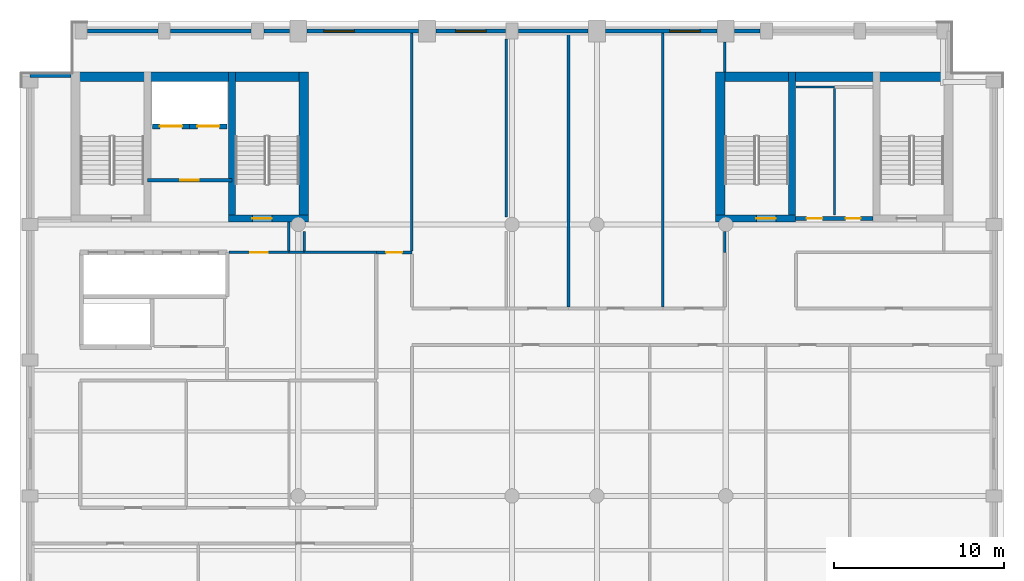
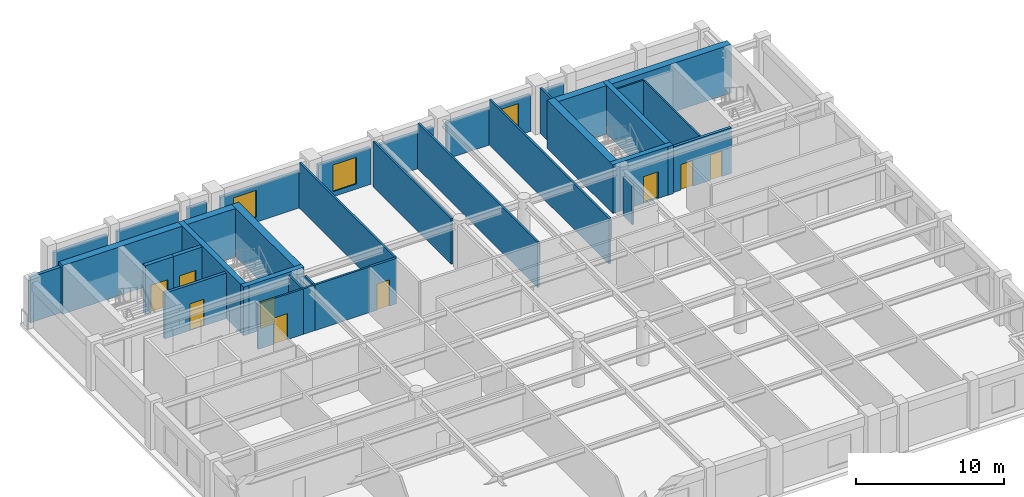
# One storey, part 5 of 9: 35 walls, 9 doors, 3 windows, 12 openings.
"""IFC4 building model written with IfcOpenShell, lengths in metres."""

from ifc_helpers import new_model, si_unit, direction, frame, frame_2d, origin, place, context, subcontext, project, spatial, rectangle, extrude, material, layer, layer_set, type_object, element, fill, save


model = new_model("IFC4")

# Units and contexts
model_context = context("Model", 3, precision=1e-05, world=origin(), true_north=direction((0.0, 1.0)))
body_context = subcontext(model_context, "Body", "Model", "MODEL_VIEW")
ifc_project = project(units=[si_unit("LENGTHUNIT", "METRE"), si_unit("AREAUNIT", "SQUARE_METRE"), si_unit("VOLUMEUNIT", "CUBIC_METRE"), si_unit("PLANEANGLEUNIT", "RADIAN"), si_unit("MASSUNIT", "GRAM", prefix="KILO")], contexts=[model_context])

# Site, building, storey
site_placement = place(None, origin())
site = spatial("IfcSite", under=ifc_project, at=site_placement, CompositionType="ELEMENT")
building_placement = place(site_placement, origin())
building = spatial("IfcBuilding", under=site, at=building_placement, Name="Sulina Concourse Tower", CompositionType="ELEMENT")
storey_placement = place(building_placement, frame((0.0, 0.0, 272.60009765625)))
storey = spatial("IfcBuildingStorey", under=building, at=storey_placement, Name="L66", CompositionType="ELEMENT", Elevation=272.60009765625)

# Wall, opening, door
ifc_material_1 = material(Name="Concrete C50/60", Category="concrete")
ifc_layer_1 = layer(ifc_material_1, 0.300048828125)
ifc_layer_set_1 = layer_set([ifc_layer_1], Name="Concrete C50/60")
wall_type_1 = type_object("IfcWallType", Name="Core Lift Hoistway Wall 300mm", PredefinedType="SOLIDWALL", material=ifc_layer_set_1)
wall_1_placement = place(storey_placement, frame((10.0, 39.780029296875, 0.0), z_axis=(0.0, 0.0, 1.0), x_axis=(-1.0, 0.0, 0.0)))
wall_1 = element("IfcWall", 1, at=wall_1_placement, inside=storey, type_object=wall_type_1, Name="L66 hoistway enclosure wall FFL-1", PredefinedType="SOLIDWALL", context=body_context, shape_type="SweptSolid", body=[
    extrude(rectangle(XDim=2.199951171875, YDim=0.300048828125, at=frame_2d((1.10009765625, 0.0))), origin(), (0.0, 0.0, 1.0), 4.0),
])
opening_1_placement = place(wall_1_placement, frame((0.449951171875, 0.0, 0.0)))
opening_1 = element("IfcOpeningElement", 2, at=opening_1_placement, cuts=wall_1, Name="Opening LD-02", PredefinedType="OPENING", context=body_context, shape_type="SweptSolid", body=[
    extrude(rectangle(XDim=1.300048828125, YDim=2.25, at=frame_2d((0.64990234375, 1.125))), frame((0.0, 0.159912109375, 0.0), z_axis=(0.0, -1.0, 0.0), x_axis=(1.0, 0.0, 0.0)), (0.0, 0.0, 1.0), 0.320068359375),
])
ifc_material_2 = material(Name="Stainless steel lift landing door", Category="steel")
ifc_layer_2 = layer(ifc_material_2, 0.050048828125)
ifc_layer_set_2 = layer_set([ifc_layer_2], Name="Stainless steel lift landing door")
door_type_1 = type_object("IfcDoorType", Name="Firefighting Lift Sliding Landing Door 1300x2250", OperationType="SLIDING_TO_RIGHT", PredefinedType="DOOR", material=ifc_layer_set_2)
door_1_placement = place(opening_1_placement, origin())
door_1 = element("IfcDoor", 3, at=door_1_placement, inside=storey, type_object=door_type_1, Name="L66 lift landing sliding door FFL-1", OperationType="SLIDING_TO_LEFT", OverallHeight=2.25, OverallWidth=1.300048828125, PredefinedType="DOOR", context=body_context, shape_type="SweptSolid", body=[
    extrude(rectangle(XDim=1.300048828125, YDim=2.25, at=frame_2d((0.64990234375, 1.125))), frame((0.0, 0.02490234375, 0.0), z_axis=(0.0, -1.0, 0.0), x_axis=(1.0, 0.0, 0.0)), (0.0, 0.0, 1.0), 0.050048828125),
])
fill(opening_1, door_1)

wall_2_placement = place(storey_placement, frame((12.199951171875, 39.780029296875, 0.0), z_axis=(0.0, 0.0, 1.0), x_axis=(-1.0, 0.0, 0.0)))
wall_2 = element("IfcWall", 4, at=wall_2_placement, inside=storey, type_object=wall_type_1, Name="L66 hoistway enclosure wall FFL-2", PredefinedType="SOLIDWALL", context=body_context, shape_type="SweptSolid", body=[
    extrude(rectangle(XDim=2.199951171875, YDim=0.300048828125, at=frame_2d((1.10009765625, 0.0))), origin(), (0.0, 0.0, 1.0), 4.0),
])
opening_2_placement = place(wall_2_placement, frame((0.449951171875, 0.0, 0.0)))
opening_2 = element("IfcOpeningElement", 5, at=opening_2_placement, cuts=wall_2, Name="Opening LD-02", PredefinedType="OPENING", context=body_context, shape_type="SweptSolid", body=[
    extrude(rectangle(XDim=1.300048828125, YDim=2.25, at=frame_2d((0.64990234375, 1.125))), frame((0.0, 0.159912109375, 0.0), z_axis=(0.0, -1.0, 0.0), x_axis=(1.0, 0.0, 0.0)), (0.0, 0.0, 1.0), 0.320068359375),
])
door_2_placement = place(opening_2_placement, origin())
door_2 = element("IfcDoor", 6, at=door_2_placement, inside=storey, type_object=door_type_1, Name="L66 lift landing sliding door FFL-2", OperationType="SLIDING_TO_RIGHT", OverallHeight=2.25, OverallWidth=1.300048828125, PredefinedType="DOOR", context=body_context, shape_type="SweptSolid", body=[
    extrude(rectangle(XDim=1.300048828125, YDim=2.25, at=frame_2d((0.64990234375, 1.125))), frame((0.0, 0.02490234375, 0.0), z_axis=(0.0, -1.0, 0.0), x_axis=(1.0, 0.0, 0.0)), (0.0, 0.0, 1.0), 0.050048828125),
])
fill(opening_2, door_2)

# Walls
ifc_material_3 = material(Name="Precast concrete C50/60", Category="concrete")
ifc_layer_3 = layer(ifc_material_3, 0.239990234375)
ifc_layer_set_3 = layer_set([ifc_layer_3], Name="Precast concrete C50/60")
wall_type_2 = type_object("IfcWallType", Name="Crown Precast Masonry-Frame Facade Wall 240mm", PredefinedType="SOLIDWALL", material=ifc_layer_set_3)
wall_3_placement = place(storey_placement, frame((3.969970703125, 45.39990234375, 0.0), z_axis=(0.0, 0.0, 1.0), x_axis=(1.0, 0.0, 0.0)))
element("IfcWall", 7, at=wall_3_placement, inside=storey, type_object=wall_type_2, Name="L66 exterior precast wall N1", PredefinedType="SOLIDWALL", context=body_context, shape_type="SweptSolid", body=[
    extrude(rectangle(XDim=4.159912109375, YDim=0.239990234375, at=frame_2d((2.080078125, 0.0))), origin(), (0.0, 0.0, 1.0), 3.0),
])
wall_4_placement = place(storey_placement, frame((8.8701171875, 45.39990234375, 0.0), z_axis=(0.0, 0.0, 1.0), x_axis=(1.0, 0.0, 0.0)))
element("IfcWall", 8, at=wall_4_placement, inside=storey, type_object=wall_type_2, Name="L66 exterior precast wall N2", PredefinedType="SOLIDWALL", context=body_context, shape_type="SweptSolid", body=[
    extrude(rectangle(XDim=4.759765625, YDim=0.239990234375, at=frame_2d((2.3798828125, 0.0))), origin(), (0.0, 0.0, 1.0), 3.0),
])
wall_5_placement = place(storey_placement, frame((14.3701171875, 45.39990234375, 0.0), z_axis=(0.0, 0.0, 1.0), x_axis=(1.0, 0.0, 0.0)))
element("IfcWall", 9, at=wall_5_placement, inside=storey, type_object=wall_type_2, Name="L66 exterior precast wall N3", PredefinedType="SOLIDWALL", context=body_context, shape_type="SweptSolid", body=[
    extrude(rectangle(XDim=1.509765625, YDim=0.239990234375, at=frame_2d((0.7548828125, 0.0))), origin(), (0.0, 0.0, 1.0), 3.0),
])

# Wall, opening, window
wall_6_placement = place(storey_placement, frame((16.919921875, 45.39990234375, 0.0), z_axis=(0.0, 0.0, 1.0), x_axis=(1.0, 0.0, 0.0)))
wall_6 = element("IfcWall", 10, at=wall_6_placement, inside=storey, type_object=wall_type_2, Name="L66 exterior precast wall N4", PredefinedType="SOLIDWALL", context=body_context, shape_type="SweptSolid", body=[
    extrude(rectangle(XDim=6.56005859375, YDim=0.239990234375, at=frame_2d((3.280029296875, 0.0))), origin(), (0.0, 0.0, 1.0), 3.0),
])
opening_3_placement = place(wall_6_placement, frame((0.98681640625, 0.0, 0.419921875)))
opening_3 = element("IfcOpeningElement", 11, at=opening_3_placement, cuts=wall_6, Name="Opening WN-25", PredefinedType="OPENING", context=body_context, shape_type="SweptSolid", body=[
    extrude(rectangle(XDim=1.800048828125, YDim=2.199951171875, at=frame_2d((0.89990234375, 1.10009765625))), frame((0.0, 0.1298828125, 0.0), z_axis=(0.0, -1.0, 0.0), x_axis=(1.0, 0.0, 0.0)), (0.0, 0.0, 1.0), 0.260009765625),
])
ifc_material_4 = material(Name="Low-E solar double glazing in bronze aluminium", Category="aluminium")
window_type = type_object("IfcWindowType", Name="Punched Masonry-Frame Window 1800x2200", PartitioningType="SINGLE_PANEL", PredefinedType="WINDOW", material=ifc_material_4)
window_1_placement = place(opening_3_placement, origin())
window_1 = element("IfcWindow", 12, at=window_1_placement, inside=storey, type_object=window_type, Name="L66 punched window N4-1", OverallHeight=2.199951171875, OverallWidth=1.800048828125, PartitioningType="SINGLE_PANEL", PredefinedType="WINDOW", context=body_context, shape_type="SweptSolid", body=[
    extrude(rectangle(XDim=1.800048828125, YDim=2.199951171875, at=frame_2d((0.89990234375, 1.10009765625))), frame((0.0, 0.030029296875, 0.0), z_axis=(0.0, -1.0, 0.0), x_axis=(1.0, 0.0, 0.0)), (0.0, 0.0, 1.0), 0.06005859375),
])
fill(opening_3, window_1)

wall_7_placement = place(storey_placement, frame((24.52001953125, 45.39990234375, 0.0), z_axis=(0.0, 0.0, 1.0), x_axis=(1.0, 0.0, 0.0)))
wall_7 = element("IfcWall", 13, at=wall_7_placement, inside=storey, type_object=wall_type_2, Name="L66 exterior precast wall N5", PredefinedType="SOLIDWALL", context=body_context, shape_type="SweptSolid", body=[
    extrude(rectangle(XDim=4.10986328125, YDim=0.239990234375, at=frame_2d((2.054931640625, 0.0))), origin(), (0.0, 0.0, 1.0), 3.0),
])
opening_4_placement = place(wall_7_placement, frame((1.155029296875, 0.0, 0.419921875)))
opening_4 = element("IfcOpeningElement", 14, at=opening_4_placement, cuts=wall_7, Name="Opening WN-25", PredefinedType="OPENING", context=body_context, shape_type="SweptSolid", body=[
    extrude(rectangle(XDim=1.800048828125, YDim=2.199951171875, at=frame_2d((0.89990234375, 1.10009765625))), frame((0.0, 0.1298828125, 0.0), z_axis=(0.0, -1.0, 0.0), x_axis=(1.0, 0.0, 0.0)), (0.0, 0.0, 1.0), 0.260009765625),
])
window_2_placement = place(opening_4_placement, origin())
window_2 = element("IfcWindow", 15, at=window_2_placement, inside=storey, type_object=window_type, Name="L66 punched window N5-1", OverallHeight=2.199951171875, OverallWidth=1.800048828125, PartitioningType="SINGLE_PANEL", PredefinedType="WINDOW", context=body_context, shape_type="SweptSolid", body=[
    extrude(rectangle(XDim=1.800048828125, YDim=2.199951171875, at=frame_2d((0.89990234375, 1.10009765625))), frame((0.0, 0.030029296875, 0.0), z_axis=(0.0, -1.0, 0.0), x_axis=(1.0, 0.0, 0.0)), (0.0, 0.0, 1.0), 0.06005859375),
])
fill(opening_4, window_2)

# Wall
wall_8_placement = place(storey_placement, frame((29.3701171875, 45.39990234375, 0.0), z_axis=(0.0, 0.0, 1.0), x_axis=(1.0, 0.0, 0.0)))
element("IfcWall", 16, at=wall_8_placement, inside=storey, type_object=wall_type_2, Name="L66 exterior precast wall N6", PredefinedType="SOLIDWALL", context=body_context, shape_type="SweptSolid", body=[
    extrude(rectangle(XDim=4.10986328125, YDim=0.239990234375, at=frame_2d((2.054931640625, 0.0))), origin(), (0.0, 0.0, 1.0), 3.0),
])

# Wall, opening, window
wall_9_placement = place(storey_placement, frame((34.52001953125, 45.39990234375, 0.0), z_axis=(0.0, 0.0, 1.0), x_axis=(1.0, 0.0, 0.0)))
wall_9 = element("IfcWall", 17, at=wall_9_placement, inside=storey, type_object=wall_type_2, Name="L66 exterior precast wall N7", PredefinedType="SOLIDWALL", context=body_context, shape_type="SweptSolid", body=[
    extrude(rectangle(XDim=6.56005859375, YDim=0.239990234375, at=frame_2d((3.280029296875, 0.0))), origin(), (0.0, 0.0, 1.0), 3.0),
])
opening_5_placement = place(wall_9_placement, frame((3.773193359375, 0.0, 0.419921875)))
opening_5 = element("IfcOpeningElement", 18, at=opening_5_placement, cuts=wall_9, Name="Opening WN-25", PredefinedType="OPENING", context=body_context, shape_type="SweptSolid", body=[
    extrude(rectangle(XDim=1.800048828125, YDim=2.199951171875, at=frame_2d((0.89990234375, 1.10009765625))), frame((0.0, 0.1298828125, 0.0), z_axis=(0.0, -1.0, 0.0), x_axis=(1.0, 0.0, 0.0)), (0.0, 0.0, 1.0), 0.260009765625),
])
window_3_placement = place(opening_5_placement, origin())
window_3 = element("IfcWindow", 19, at=window_3_placement, inside=storey, type_object=window_type, Name="L66 punched window N7-1", OverallHeight=2.199951171875, OverallWidth=1.800048828125, PartitioningType="SINGLE_PANEL", PredefinedType="WINDOW", context=body_context, shape_type="SweptSolid", body=[
    extrude(rectangle(XDim=1.800048828125, YDim=2.199951171875, at=frame_2d((0.89990234375, 1.10009765625))), frame((0.0, 0.030029296875, 0.0), z_axis=(0.0, -1.0, 0.0), x_axis=(1.0, 0.0, 0.0)), (0.0, 0.0, 1.0), 0.06005859375),
])
fill(opening_5, window_3)

# Walls
wall_10_placement = place(storey_placement, frame((42.1201171875, 45.39990234375, 0.0), z_axis=(0.0, 0.0, 1.0), x_axis=(1.0, 0.0, 0.0)))
element("IfcWall", 20, at=wall_10_placement, inside=storey, type_object=wall_type_2, Name="L66 exterior precast wall N8", PredefinedType="SOLIDWALL", context=body_context, shape_type="SweptSolid", body=[
    extrude(rectangle(XDim=1.509765625, YDim=0.239990234375, at=frame_2d((0.7548828125, 0.0))), origin(), (0.0, 0.0, 1.0), 3.0),
])
wall_11_placement = place(storey_placement, frame((0.60009765625, 42.77001953125, 0.0), z_axis=(0.0, 0.0, 1.0), x_axis=(1.0, 0.0, 0.0)))
element("IfcWall", 21, at=wall_11_placement, inside=storey, type_object=wall_type_2, Name="L66 exterior precast wall CNW1", PredefinedType="SOLIDWALL", context=body_context, shape_type="SweptSolid", body=[
    extrude(rectangle(XDim=2.39501953125, YDim=0.239990234375, at=frame_2d((1.197509765625, 0.0))), origin(), (0.0, 0.0, 1.0), 3.75),
])

# Wall, opening, door
ifc_material_5 = material(Name="Gypsum board on steel stud", Category="steel")
ifc_layer_4 = layer(ifc_material_5, 0.219970703125)
ifc_layer_set_4 = layer_set([ifc_layer_4], Name="Gypsum board on steel stud")
wall_type_3 = type_object("IfcWallType", Name="Fire-Rated Lobby & Compartment Wall 220mm", PredefinedType="PARTITIONING", material=ifc_layer_set_4)
wall_12_placement = place(storey_placement, frame((7.510009765625, 36.60009765625, 0.0), z_axis=(0.0, 0.0, 1.0), x_axis=(1.0, 0.0, 0.0)))
wall_12 = element("IfcWall", 22, at=wall_12_placement, inside=storey, type_object=wall_type_3, Name="L66 firefighting lobby south fire wall", PredefinedType="PARTITIONING", context=body_context, shape_type="SweptSolid", body=[
    extrude(rectangle(XDim=4.97998046875, YDim=0.219970703125, at=frame_2d((2.489990234375, 0.0))), origin(), (0.0, 0.0, 1.0), 3.75),
])
opening_6_placement = place(wall_12_placement, frame((1.93994140625, 0.0, 0.0)))
opening_6 = element("IfcOpeningElement", 23, at=opening_6_placement, cuts=wall_12, Name="Opening DR-47", PredefinedType="OPENING", context=body_context, shape_type="SweptSolid", body=[
    extrude(rectangle(XDim=1.10009765625, YDim=2.199951171875, at=frame_2d((0.550048828125, 1.10009765625))), frame((0.0, 0.119873046875, 0.0), z_axis=(0.0, -1.0, 0.0), x_axis=(1.0, 0.0, 0.0)), (0.0, 0.0, 1.0), 0.239990234375),
])
ifc_material_6 = material(Name="Galvanised steel acoustic fire leaf", Category="steel")
ifc_layer_5 = layer(ifc_material_6, 0.054931640625)
ifc_layer_set_5 = layer_set([ifc_layer_5], Name="Galvanised steel acoustic fire leaf")
door_type_2 = type_object("IfcDoorType", Name="Firefighting Lobby Fire Door 1100x2200", OperationType="NOTDEFINED", PredefinedType="DOOR", material=ifc_layer_set_5)
door_3_placement = place(opening_6_placement, origin())
door_3 = element("IfcDoor", 24, at=door_3_placement, inside=storey, type_object=door_type_2, Name="L66 firefighting lobby fire door", OperationType="SINGLE_SWING_LEFT", OverallHeight=2.199951171875, OverallWidth=1.10009765625, PredefinedType="DOOR", context=body_context, shape_type="SweptSolid", body=[
    extrude(rectangle(XDim=1.10009765625, YDim=2.199951171875, at=frame_2d((0.550048828125, 1.10009765625))), frame((0.0, 0.02490234375, 0.0), z_axis=(0.0, -1.0, 0.0), x_axis=(1.0, 0.0, 0.0)), (0.0, 0.0, 1.0), 0.050048828125),
])
fill(opening_6, door_3)

# Wall, openings, doors
wall_13_placement = place(storey_placement, frame((45.719970703125, 34.35009765625, 0.0), z_axis=(0.0, 0.0, 1.0), x_axis=(1.0, 0.0, 0.0)))
wall_13 = element("IfcWall", 25, at=wall_13_placement, inside=storey, type_object=wall_type_3, Name="L66 east core south lobby wall", PredefinedType="PARTITIONING", context=body_context, shape_type="SweptSolid", body=[
    extrude(rectangle(XDim=4.56005859375, YDim=0.219970703125, at=frame_2d((2.280029296875, 0.0))), origin(), (0.0, 0.0, 1.0), 3.75),
])
opening_7_placement = place(wall_13_placement, frame((0.64990234375, 0.0, 0.0)))
opening_7 = element("IfcOpeningElement", 26, at=opening_7_placement, cuts=wall_13, Name="Opening DR-61", PredefinedType="OPENING", context=body_context, shape_type="SweptSolid", body=[
    extrude(rectangle(XDim=0.919921875, YDim=2.10009765625, at=frame_2d((0.4599609375, 1.050048828125))), frame((0.0, 0.119873046875, 0.0), z_axis=(0.0, -1.0, 0.0), x_axis=(1.0, 0.0, 0.0)), (0.0, 0.0, 1.0), 0.239990234375),
])
opening_8_placement = place(wall_13_placement, frame((2.949951171875, 0.0, 0.0)))
opening_8 = element("IfcOpeningElement", 27, at=opening_8_placement, cuts=wall_13, Name="Opening DR-38", PredefinedType="OPENING", context=body_context, shape_type="SweptSolid", body=[
    extrude(rectangle(XDim=0.8798828125, YDim=2.10009765625, at=frame_2d((0.43994140625, 1.050048828125))), frame((0.0, 0.119873046875, 0.0), z_axis=(0.0, -1.0, 0.0), x_axis=(1.0, 0.0, 0.0)), (0.0, 0.0, 1.0), 0.239990234375),
])
ifc_material_7 = material(Name="Oak-veneered fire door leaf")
ifc_layer_6 = layer(ifc_material_7, 0.050048828125)
ifc_layer_set_6 = layer_set([ifc_layer_6], Name="Oak-veneered fire door leaf")
door_type_3 = type_object("IfcDoorType", Name="Accessible WC Door 920x2100", OperationType="NOTDEFINED", PredefinedType="DOOR", material=ifc_layer_set_6)
door_4_placement = place(opening_7_placement, origin())
door_4 = element("IfcDoor", 28, at=door_4_placement, inside=storey, type_object=door_type_3, Name="L66 east core accessible wc door", OperationType="SINGLE_SWING_LEFT", OverallHeight=2.10009765625, OverallWidth=0.919921875, PredefinedType="DOOR", context=body_context, shape_type="SweptSolid", body=[
    extrude(rectangle(XDim=0.919921875, YDim=2.10009765625, at=frame_2d((0.4599609375, 1.050048828125))), frame((0.0, 0.02490234375, 0.0), z_axis=(0.0, -1.0, 0.0), x_axis=(1.0, 0.0, 0.0)), (0.0, 0.0, 1.0), 0.050048828125),
])
fill(opening_7, door_4)
ifc_material_8 = material(Name="Galvanised steel acoustic fire leaf", Category="steel")
ifc_layer_7 = layer(ifc_material_8, 0.050048828125)
ifc_layer_set_7 = layer_set([ifc_layer_7], Name="Galvanised steel acoustic fire leaf")
door_type_4 = type_object("IfcDoorType", Name="Service Riser Fire Door 880x2100", OperationType="NOTDEFINED", PredefinedType="DOOR", material=ifc_layer_set_7)
door_5_placement = place(opening_8_placement, origin())
door_5 = element("IfcDoor", 29, at=door_5_placement, inside=storey, type_object=door_type_4, Name="L66 east core store door", OperationType="SINGLE_SWING_RIGHT", OverallHeight=2.10009765625, OverallWidth=0.8798828125, PredefinedType="DOOR", context=body_context, shape_type="SweptSolid", body=[
    extrude(rectangle(XDim=0.8798828125, YDim=2.10009765625, at=frame_2d((0.43994140625, 1.050048828125))), frame((0.0, 0.02490234375, 0.0), z_axis=(0.0, -1.0, 0.0), x_axis=(1.0, 0.0, 0.0)), (0.0, 0.0, 1.0), 0.050048828125),
])
fill(opening_8, door_5)

# Wall, opening, door
ifc_material_9 = material(Name="Gypsum board on steel stud", Category="steel")
ifc_layer_8 = layer(ifc_material_9, 0.14990234375)
ifc_layer_set_8 = layer_set([ifc_layer_8], Name="Gypsum board on steel stud")
wall_type_4 = type_object("IfcWallType", Name="Inter-Tenancy Acoustic Partition 150mm", PredefinedType="PARTITIONING", material=ifc_layer_set_8)
wall_14_placement = place(storey_placement, frame((12.330078125, 32.35009765625, 0.0), z_axis=(0.0, 0.0, 1.0), x_axis=(1.0, 0.0, 0.0)))
wall_14 = element("IfcWall", 30, at=wall_14_placement, inside=storey, type_object=wall_type_4, Name="L66 interior partition 020", PredefinedType="PARTITIONING", context=body_context, shape_type="SweptSolid", body=[
    extrude(rectangle(XDim=3.52001953125, YDim=0.14990234375, at=frame_2d((1.760009765625, 0.0))), origin(), (0.0, 0.0, 1.0), 3.75),
])
opening_9_placement = place(wall_14_placement, frame((1.235107421875, 0.0, 0.0)))
opening_9 = element("IfcOpeningElement", 31, at=opening_9_placement, cuts=wall_14, Name="Opening DR-37", PredefinedType="OPENING", context=body_context, shape_type="SweptSolid", body=[
    extrude(rectangle(XDim=1.050048828125, YDim=2.14990234375, at=frame_2d((0.52490234375, 1.074951171875))), frame((0.0, 0.0849609375, 0.0), z_axis=(0.0, -1.0, 0.0), x_axis=(1.0, 0.0, 0.0)), (0.0, 0.0, 1.0), 0.169921875),
])
ifc_material_10 = material(Name="Oak-veneered fire door leaf")
ifc_layer_9 = layer(ifc_material_10, 0.050048828125)
ifc_layer_set_9 = layer_set([ifc_layer_9], Name="Oak-veneered fire door leaf")
door_type_5 = type_object("IfcDoorType", Name="Tenant Suite Entrance Fire Door 1050x2150", OperationType="NOTDEFINED", PredefinedType="DOOR", material=ifc_layer_set_9)
door_6_placement = place(opening_9_placement, origin())
door_6 = element("IfcDoor", 32, at=door_6_placement, inside=storey, type_object=door_type_5, Name="L66 interior door L66-MR-MRG1", OperationType="SINGLE_SWING_LEFT", OverallHeight=2.14990234375, OverallWidth=1.050048828125, PredefinedType="DOOR", context=body_context, shape_type="SweptSolid", body=[
    extrude(rectangle(XDim=1.050048828125, YDim=2.14990234375, at=frame_2d((0.52490234375, 1.074951171875))), frame((0.0, 0.02490234375, 0.0), z_axis=(0.0, -1.0, 0.0), x_axis=(1.0, 0.0, 0.0)), (0.0, 0.0, 1.0), 0.050048828125),
])
fill(opening_9, door_6)

# Walls
wall_15_placement = place(storey_placement, frame((15.85009765625, 32.35009765625, 0.0), z_axis=(0.0, 0.0, 1.0), x_axis=(1.0, 0.0, 0.0)))
element("IfcWall", 33, at=wall_15_placement, inside=storey, type_object=wall_type_4, Name="L66 interior partition 021", PredefinedType="PARTITIONING", context=body_context, shape_type="SweptSolid", body=[
    extrude(rectangle(XDim=0.89990234375, YDim=0.14990234375, at=frame_2d((0.449951171875, 0.0))), origin(), (0.0, 0.0, 1.0), 3.75),
])
wall_16_placement = place(storey_placement, frame((16.75, 32.35009765625, 0.0), z_axis=(0.0, 0.0, 1.0), x_axis=(1.0, 0.0, 0.0)))
element("IfcWall", 34, at=wall_16_placement, inside=storey, type_object=wall_type_4, Name="L66 interior partition 022", PredefinedType="PARTITIONING", context=body_context, shape_type="SweptSolid", body=[
    extrude(rectangle(XDim=4.25, YDim=0.14990234375, at=frame_2d((2.125, 0.0))), origin(), (0.0, 0.0, 1.0), 3.75),
])
wall_17_placement = place(storey_placement, frame((15.85009765625, 32.425048828125, 0.0), z_axis=(0.0, 0.0, 1.0), x_axis=(0.0, 1.0, 0.0)))
element("IfcWall", 35, at=wall_17_placement, inside=storey, type_object=wall_type_4, Name="L66 interior partition 035", PredefinedType="PARTITIONING", context=body_context, shape_type="SweptSolid", body=[
    extrude(rectangle(XDim=1.724853515625, YDim=0.14990234375, at=frame_2d((0.8623046875, 0.0))), origin(), (0.0, 0.0, 1.0), 3.75),
])
wall_18_placement = place(storey_placement, frame((16.75, 32.425048828125, 0.0), z_axis=(0.0, 0.0, 1.0), x_axis=(0.0, 1.0, 0.0)))
element("IfcWall", 36, at=wall_18_placement, inside=storey, type_object=wall_type_4, Name="L66 interior partition 036", PredefinedType="PARTITIONING", context=body_context, shape_type="SweptSolid", body=[
    extrude(rectangle(XDim=1.14990234375, YDim=0.14990234375, at=frame_2d((0.574951171875, 0.0))), origin(), (0.0, 0.0, 1.0), 3.75),
])
wall_19_placement = place(storey_placement, frame((23.10009765625, 32.43994140625, 0.0), z_axis=(0.0, 0.0, 1.0), x_axis=(0.0, 1.0, 0.0)))
element("IfcWall", 37, at=wall_19_placement, inside=storey, type_object=wall_type_4, Name="L66 interior partition 043", PredefinedType="PARTITIONING", context=body_context, shape_type="SweptSolid", body=[
    extrude(rectangle(XDim=12.840087890625, YDim=0.14990234375, at=frame_2d((6.419921875, 0.0))), origin(), (0.0, 0.0, 1.0), 3.75),
])
wall_20_placement = place(storey_placement, frame((28.659912109375, 34.425048828125, 0.0), z_axis=(0.0, 0.0, 1.0), x_axis=(0.0, 1.0, 0.0)))
element("IfcWall", 38, at=wall_20_placement, inside=storey, type_object=wall_type_4, Name="L66 interior partition 045", PredefinedType="PARTITIONING", context=body_context, shape_type="SweptSolid", body=[
    extrude(rectangle(XDim=10.5, YDim=0.14990234375, at=frame_2d((5.25, 0.0))), origin(), (0.0, 0.0, 1.0), 3.75),
])
for number, where, z_axis, x_axis, name in (
    (39, (32.330078125, 29.139892578125, 0.0), (0.0, 0.0, 1.0), (0.0, 1.0, 0.0), "L66 interior partition 046"),
    (40, (37.889892578125, 29.139892578125, 0.0), (0.0, 0.0, 1.0), (0.0, 1.0, 0.0), "L66 interior partition 048"),
):
    element("IfcWall", number, at=place(storey_placement, frame(where, z_axis=z_axis, x_axis=x_axis)), inside=storey, type_object=wall_type_4, Name=name, PredefinedType="PARTITIONING", context=body_context, shape_type="SweptSolid", body=[
        extrude(rectangle(XDim=16.14013671875, YDim=0.14990234375, at=frame_2d((8.070068359375, 0.0))), origin(), (0.0, 0.0, 1.0), 3.75),
    ])
wall_21_placement = place(storey_placement, frame((41.550048828125, 32.35009765625, 0.0), z_axis=(0.0, 0.0, 1.0), x_axis=(0.0, 1.0, 0.0)))
element("IfcWall", 41, at=wall_21_placement, inside=storey, type_object=wall_type_4, Name="L66 interior partition 050", PredefinedType="PARTITIONING", context=body_context, shape_type="SweptSolid", body=[
    extrude(rectangle(XDim=1.224853515625, YDim=0.14990234375, at=frame_2d((0.6123046875, 0.0))), origin(), (0.0, 0.0, 1.0), 3.19482421875),
])
wall_22_placement = place(storey_placement, frame((41.550048828125, 42.97998046875, 0.0), z_axis=(0.0, 0.0, 1.0), x_axis=(0.0, 1.0, 0.0)))
element("IfcWall", 42, at=wall_22_placement, inside=storey, type_object=wall_type_4, Name="L66 interior partition 051", PredefinedType="PARTITIONING", context=body_context, shape_type="SweptSolid", body=[
    extrude(rectangle(XDim=1.77001953125, YDim=0.14990234375, at=frame_2d((0.885009765625, 0.0))), origin(), (0.0, 0.0, 1.0), 3.75),
])

# Wall, opening, door
ifc_material_11 = material(Name="Gypsum board on steel stud", Category="steel")
ifc_layer_10 = layer(ifc_material_11, 0.179931640625)
ifc_layer_set_10 = layer_set([ifc_layer_10], Name="Gypsum board on steel stud")
wall_type_5 = type_object("IfcWallType", Name="Protected Corridor & Riser Partition 180mm", PredefinedType="PARTITIONING", material=ifc_layer_set_10)
wall_23_placement = place(storey_placement, frame((21.0, 32.35009765625, 0.0), z_axis=(0.0, 0.0, 1.0), x_axis=(1.0, 0.0, 0.0)))
wall_23 = element("IfcWall", 43, at=wall_23_placement, inside=storey, type_object=wall_type_5, Name="L66 interior partition 023", PredefinedType="PARTITIONING", context=body_context, shape_type="SweptSolid", body=[
    extrude(rectangle(XDim=2.10009765625, YDim=0.179931640625, at=frame_2d((1.050048828125, 0.0))), origin(), (0.0, 0.0, 1.0), 3.75),
])
opening_10_placement = place(wall_23_placement, frame((0.574951171875, 0.0, 0.0)))
opening_10 = element("IfcOpeningElement", 44, at=opening_10_placement, cuts=wall_23, Name="Opening DR-19", PredefinedType="OPENING", context=body_context, shape_type="SweptSolid", body=[
    extrude(rectangle(XDim=0.949951171875, YDim=2.14990234375, at=frame_2d((0.47509765625, 1.074951171875))), frame((0.0, 0.099853515625, 0.0), z_axis=(0.0, -1.0, 0.0), x_axis=(1.0, 0.0, 0.0)), (0.0, 0.0, 1.0), 0.199951171875),
])
ifc_material_12 = material(Name="Oak-veneered acoustic timber leaf", Category="wood")
ifc_layer_11 = layer(ifc_material_12, 0.050048828125)
ifc_layer_set_11 = layer_set([ifc_layer_11], Name="Oak-veneered acoustic timber leaf")
door_type_6 = type_object("IfcDoorType", Name="Cellular Office & Meeting Door 950x2150", OperationType="NOTDEFINED", PredefinedType="DOOR", material=ifc_layer_set_11)
door_7_placement = place(opening_10_placement, origin())
door_7 = element("IfcDoor", 45, at=door_7_placement, inside=storey, type_object=door_type_6, Name="L66 interior door L66-NC-NW", OperationType="SINGLE_SWING_RIGHT", OverallHeight=2.14990234375, OverallWidth=0.949951171875, PredefinedType="DOOR", context=body_context, shape_type="SweptSolid", body=[
    extrude(rectangle(XDim=0.949951171875, YDim=2.14990234375, at=frame_2d((0.47509765625, 1.074951171875))), frame((0.0, 0.02490234375, 0.0), z_axis=(0.0, -1.0, 0.0), x_axis=(1.0, 0.0, 0.0)), (0.0, 0.0, 1.0), 0.050048828125),
])
fill(opening_10, door_7)

ifc_material_13 = material(Name="Concrete C60/75", Category="concrete")
ifc_layer_12 = layer(ifc_material_13, 0.39990234375)
ifc_layer_set_12 = layer_set([ifc_layer_12], Name="Concrete C60/75")
wall_type_6 = type_object("IfcWallType", Name="Protected Stair Core Shear Wall 400mm", PredefinedType="SHEAR", material=ifc_layer_set_12)
wall_24_placement = place(storey_placement, frame((12.2900390625, 34.35009765625, 0.0), z_axis=(0.0, 0.0, 1.0), x_axis=(1.0, 0.0, 0.0)))
wall_24 = element("IfcWall", 46, at=wall_24_placement, inside=storey, type_object=wall_type_6, Name="L66 west core shear wall CW-WS2", PredefinedType="SHEAR", context=body_context, shape_type="SweptSolid", body=[
    extrude(rectangle(XDim=4.7099609375, YDim=0.39990234375, at=frame_2d((2.35498046875, 0.0))), origin(), (0.0, 0.0, 1.0), 4.0),
])
opening_11_placement = place(wall_24_placement, frame((1.39990234375, 0.0, 0.0)))
opening_11 = element("IfcOpeningElement", 47, at=opening_11_placement, cuts=wall_24, Name="Opening DR-60", PredefinedType="OPENING", context=body_context, shape_type="SweptSolid", body=[
    extrude(rectangle(XDim=1.14990234375, YDim=2.199951171875, at=frame_2d((0.574951171875, 1.10009765625))), frame((0.0, 0.2099609375, 0.0), z_axis=(0.0, -1.0, 0.0), x_axis=(1.0, 0.0, 0.0)), (0.0, 0.0, 1.0), 0.419921875),
])
ifc_material_14 = material(Name="Galvanised steel acoustic fire leaf", Category="steel")
ifc_layer_13 = layer(ifc_material_14, 0.054931640625)
ifc_layer_set_13 = layer_set([ifc_layer_13], Name="Galvanised steel acoustic fire leaf")
door_type_7 = type_object("IfcDoorType", Name="Protected Exit Stair Fire Door 1150x2200", OperationType="NOTDEFINED", PredefinedType="DOOR", material=ifc_layer_set_13)
door_8_placement = place(opening_11_placement, origin())
door_8 = element("IfcDoor", 48, at=door_8_placement, inside=storey, type_object=door_type_7, Name="L66 stair ST-2 lobby fire door", OperationType="SINGLE_SWING_RIGHT", OverallHeight=2.199951171875, OverallWidth=1.14990234375, PredefinedType="DOOR", context=body_context, shape_type="SweptSolid", body=[
    extrude(rectangle(XDim=1.14990234375, YDim=2.199951171875, at=frame_2d((0.574951171875, 1.10009765625))), frame((0.0, 0.02490234375, 0.0), z_axis=(0.0, -1.0, 0.0), x_axis=(1.0, 0.0, 0.0)), (0.0, 0.0, 1.0), 0.050048828125),
])
fill(opening_11, door_8)

# Wall
wall_25_placement = place(storey_placement, frame((12.489990234375, 34.14990234375, 0.0), z_axis=(0.0, 0.0, 1.0), x_axis=(0.0, 1.0, 0.0)))
element("IfcWall", 49, at=wall_25_placement, inside=storey, type_object=wall_type_6, Name="L66 west core shear wall SW-ST2", PredefinedType="SHEAR", context=body_context, shape_type="SweptSolid", body=[
    extrude(rectangle(XDim=8.830078125, YDim=0.39990234375, at=frame_2d((4.4150390625, 0.0))), origin(), (0.0, 0.0, 1.0), 4.0),
])

# Wall, opening, door
wall_26_placement = place(storey_placement, frame((41.0, 34.35009765625, 0.0), z_axis=(0.0, 0.0, 1.0), x_axis=(1.0, 0.0, 0.0)))
wall_26 = element("IfcWall", 50, at=wall_26_placement, inside=storey, type_object=wall_type_6, Name="L66 east core shear wall CW-ES1", PredefinedType="SHEAR", context=body_context, shape_type="SweptSolid", body=[
    extrude(rectangle(XDim=4.7099609375, YDim=0.39990234375, at=frame_2d((2.35498046875, 0.0))), origin(), (0.0, 0.0, 1.0), 4.0),
])
opening_12_placement = place(wall_26_placement, frame((2.39990234375, 0.0, 0.0)))
opening_12 = element("IfcOpeningElement", 51, at=opening_12_placement, cuts=wall_26, Name="Opening DR-60", PredefinedType="OPENING", context=body_context, shape_type="SweptSolid", body=[
    extrude(rectangle(XDim=1.14990234375, YDim=2.199951171875, at=frame_2d((0.574951171875, 1.10009765625))), frame((0.0, 0.2099609375, 0.0), z_axis=(0.0, -1.0, 0.0), x_axis=(1.0, 0.0, 0.0)), (0.0, 0.0, 1.0), 0.419921875),
])
door_9_placement = place(opening_12_placement, origin())
door_9 = element("IfcDoor", 52, at=door_9_placement, inside=storey, type_object=door_type_7, Name="L66 stair ST-3 south lobby fire door", OperationType="SINGLE_SWING_RIGHT", OverallHeight=2.199951171875, OverallWidth=1.14990234375, PredefinedType="DOOR", context=body_context, shape_type="SweptSolid", body=[
    extrude(rectangle(XDim=1.14990234375, YDim=2.199951171875, at=frame_2d((0.574951171875, 1.10009765625))), frame((0.0, 0.02490234375, 0.0), z_axis=(0.0, -1.0, 0.0), x_axis=(1.0, 0.0, 0.0)), (0.0, 0.0, 1.0), 0.050048828125),
])
fill(opening_12, door_9)

# Walls
wall_27_placement = place(storey_placement, frame((45.510009765625, 34.14990234375, 0.0), z_axis=(0.0, 0.0, 1.0), x_axis=(0.0, 1.0, 0.0)))
element("IfcWall", 53, at=wall_27_placement, inside=storey, type_object=wall_type_6, Name="L66 east core shear wall SW-ST3", PredefinedType="SHEAR", context=body_context, shape_type="SweptSolid", body=[
    extrude(rectangle(XDim=8.830078125, YDim=0.39990234375, at=frame_2d((4.4150390625, 0.0))), origin(), (0.0, 0.0, 1.0), 4.0),
])
ifc_material_15 = material(Name="Concrete C50/60", Category="concrete")
ifc_layer_14 = layer(ifc_material_15, 0.550048828125)
ifc_layer_set_14 = layer_set([ifc_layer_14], Name="Concrete C50/60")
wall_type_7 = type_object("IfcWallType", Name="Upper Core Shear Wall 550mm", PredefinedType="SHEAR", material=ifc_layer_set_14)
wall_28_placement = place(storey_placement, frame((3.0, 42.705078125, 0.0), z_axis=(0.0, 0.0, 1.0), x_axis=(1.0, 0.0, 0.0)))
element("IfcWall", 54, at=wall_28_placement, inside=storey, type_object=wall_type_7, Name="L66 west core shear wall CW-WN", PredefinedType="SHEAR", context=body_context, shape_type="SweptSolid", body=[
    extrude(rectangle(XDim=14.0, YDim=0.550048828125, at=frame_2d((7.0, 0.0))), origin(), (0.0, 0.0, 1.0), 4.0),
])
wall_29_placement = place(storey_placement, frame((16.72509765625, 34.14990234375, 0.0), z_axis=(0.0, 0.0, 1.0), x_axis=(0.0, 1.0, 0.0)))
element("IfcWall", 55, at=wall_29_placement, inside=storey, type_object=wall_type_7, Name="L66 west core shear wall CW-WE", PredefinedType="SHEAR", context=body_context, shape_type="SweptSolid", body=[
    extrude(rectangle(XDim=8.830078125, YDim=0.550048828125, at=frame_2d((4.4150390625, 0.0))), origin(), (0.0, 0.0, 1.0), 4.0),
])
wall_30_placement = place(storey_placement, frame((41.0, 42.705078125, 0.0), z_axis=(0.0, 0.0, 1.0), x_axis=(1.0, 0.0, 0.0)))
element("IfcWall", 56, at=wall_30_placement, inside=storey, type_object=wall_type_7, Name="L66 east core shear wall CW-EN", PredefinedType="SHEAR", context=body_context, shape_type="SweptSolid", body=[
    extrude(rectangle(XDim=14.0, YDim=0.550048828125, at=frame_2d((7.0, 0.0))), origin(), (0.0, 0.0, 1.0), 4.0),
])
wall_31_placement = place(storey_placement, frame((41.27490234375, 34.14990234375, 0.0), z_axis=(0.0, 0.0, 1.0), x_axis=(0.0, 1.0, 0.0)))
element("IfcWall", 57, at=wall_31_placement, inside=storey, type_object=wall_type_7, Name="L66 east core shear wall CW-EW", PredefinedType="SHEAR", context=body_context, shape_type="SweptSolid", body=[
    extrude(rectangle(XDim=8.830078125, YDim=0.550048828125, at=frame_2d((4.4150390625, 0.0))), origin(), (0.0, 0.0, 1.0), 4.0),
])
ifc_material_16 = material(Name="Gypsum board on steel stud", Category="steel")
ifc_layer_15 = layer(ifc_material_16, 0.125)
ifc_layer_set_15 = layer_set([ifc_layer_15], Name="Gypsum board on steel stud")
wall_type_8 = type_object("IfcWallType", Name="Wet-Area Moisture-Resistant Partition 125mm", PredefinedType="PARTITIONING", material=ifc_layer_set_15)
wall_32_placement = place(storey_placement, frame((45.75, 42.10009765625, 0.0), z_axis=(0.0, 0.0, 1.0), x_axis=(1.0, 0.0, 0.0)))
element("IfcWall", 58, at=wall_32_placement, inside=storey, type_object=wall_type_8, Name="L66 interior partition 027", PredefinedType="PARTITIONING", context=body_context, shape_type="SweptSolid", body=[
    extrude(rectangle(XDim=2.25, YDim=0.125, at=frame_2d((1.125, 0.0))), origin(), (0.0, 0.0, 1.0), 3.75),
])
wall_33_placement = place(storey_placement, frame((48.0, 34.550048828125, 0.0), z_axis=(0.0, 0.0, 1.0), x_axis=(0.0, 1.0, 0.0)))
element("IfcWall", 59, at=wall_33_placement, inside=storey, type_object=wall_type_8, Name="L66 interior partition 054", PredefinedType="PARTITIONING", context=body_context, shape_type="SweptSolid", body=[
    extrude(rectangle(XDim=7.474853515625, YDim=0.125, at=frame_2d((3.7373046875, 0.0))), origin(), (0.0, 0.0, 1.0), 3.75),
])

save(model, "model.ifc")
